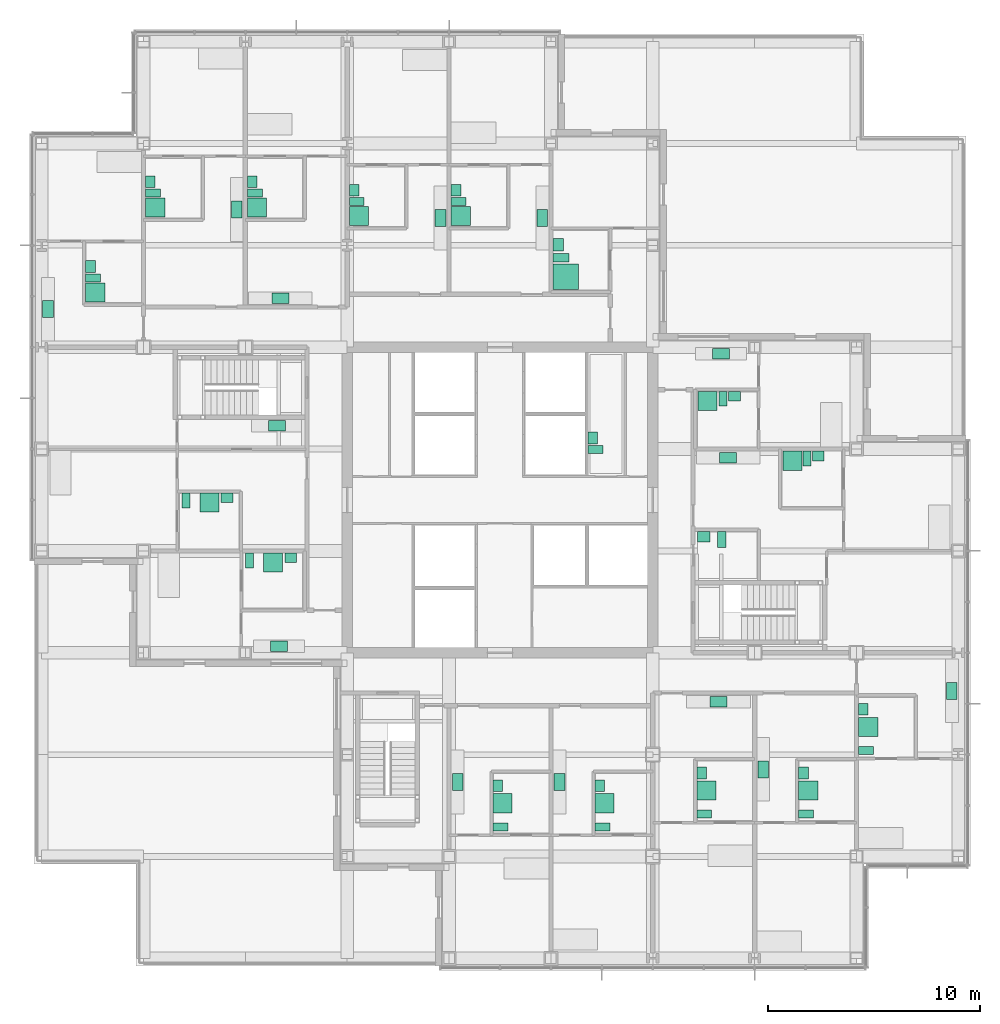
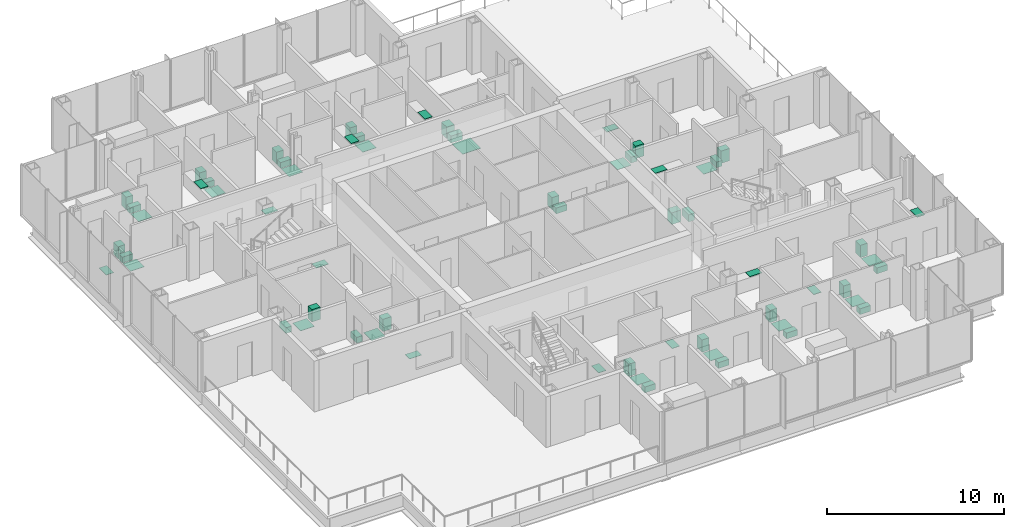
# One storey, part 18 of 19: 63 sanitary terminals.
"""IFC4 building model written with IfcOpenShell, lengths in metres."""

from ifc_helpers import new_model, si_unit, direction, frame, origin, origin_2d, place, context, subcontext, project, spatial, rectangle, extrude, material, type_object, element, save


model = new_model("IFC4")

# Units and contexts
model_context = context("Model", 3, precision=1e-05, world=origin(), true_north=direction((0.0, 1.0)))
body_context = subcontext(model_context, "Body", "Model", "MODEL_VIEW")
ifc_project = project(units=[si_unit("LENGTHUNIT", "METRE"), si_unit("AREAUNIT", "SQUARE_METRE"), si_unit("VOLUMEUNIT", "CUBIC_METRE"), si_unit("PLANEANGLEUNIT", "RADIAN"), si_unit("MASSUNIT", "GRAM", prefix="KILO")], contexts=[model_context])

# Site, building, storey
site_placement = place(None, origin())
site = spatial("IfcSite", under=ifc_project, at=site_placement, CompositionType="ELEMENT")
building_placement = place(site_placement, origin())
building = spatial("IfcBuilding", under=site, at=building_placement, Name="Kvirike Care Tower", CompositionType="ELEMENT")
storey_placement = place(building_placement, frame((0.0, 0.0, 84.0)))
storey = spatial("IfcBuildingStorey", under=building, at=storey_placement, Name="L22", CompositionType="ELEMENT", Elevation=84.0)

# Sanitary terminals
ifc_material_1 = material(Name="Vitreous china", Category="ceramic")
sanitary_terminal_type_1 = type_object("IfcSanitaryTerminalType", Name="ACCESSIBLE WASH BASIN 600 x 500", PredefinedType="WASHHANDBASIN", material=ifc_material_1)
for number, where, z_axis, x_axis, name in (
    (1, (24.35205078125, 48.02490234375, 0.02001953125), (0.0, 0.0, 1.0), (0.0, 1.0, 0.0), "Accessible wash basin L22-032"),
    (2, (31.199951171875, 34.27294921875, 0.02001953125), (0.0, 0.0, 1.0), (1.0, 0.0, 0.0), "Accessible wash basin L22-054"),
):
    element("IfcSanitaryTerminal", number, at=place(storey_placement, frame(where, z_axis=z_axis, x_axis=x_axis)), inside=storey, type_object=sanitary_terminal_type_1, Name=name, PredefinedType="WASHHANDBASIN", context=body_context, shape_type="SweptSolid", body=[
        extrude(rectangle(XDim=0.60009765625, YDim=0.5, at=origin_2d()), origin(), (0.0, 0.0, 1.0), 0.800048828125),
    ])
ifc_material_2 = material(Name="Vitreous china", Category="ceramic")
sanitary_terminal_type_2 = type_object("IfcSanitaryTerminalType", Name="ACCESSIBLE WC PAN 400 x 750", PredefinedType="TOILETPAN", material=ifc_material_2)
for number, where, z_axis, x_axis, name in (
    (3, (24.47705078125, 47.425048828125, 0.02001953125), (0.0, 0.0, 1.0), (0.0, 1.0, 0.0), "Accessible WC pan L22-032"),
    (4, (32.050048828125, 34.14794921875, 0.02001953125), (0.0, 0.0, 1.0), (1.0, 0.0, 0.0), "Accessible WC pan L22-054"),
):
    element("IfcSanitaryTerminal", number, at=place(storey_placement, frame(where, z_axis=z_axis, x_axis=x_axis)), inside=storey, type_object=sanitary_terminal_type_2, Name=name, PredefinedType="TOILETPAN", context=body_context, shape_type="SweptSolid", body=[
        extrude(rectangle(XDim=0.39990234375, YDim=0.75, at=origin_2d()), origin(), (0.0, 0.0, 1.0), 0.47998046875),
    ])
ifc_material_3 = material(Name="Stainless steel", Category="steel")
sanitary_terminal_type_3 = type_object("IfcSanitaryTerminalType", Name="KITCHEN SINK 800 x 500", PredefinedType="SINK", material=ifc_material_3)
for number, where, z_axis, x_axis, name in (
    (5, (11.10009765625, 39.498046875, 0.89990234375), (0.0, 0.0, 1.0), (1.0, 0.0, 0.0), "Kitchen sink L22-006"),
    (6, (11.179931640625, 29.10205078125, 0.89990234375), (0.0, 0.0, 1.0), (-1.0, 0.0, 0.0), "Kitchen sink L22-010"),
    (7, (11.25, 45.501953125, 0.89990234375), (0.0, 0.0, 1.0), (-1.0, 0.0, 0.0), "Kitchen sink L22-014"),
    (8, (9.197998046875, 49.68994140625, 0.89990234375), (0.0, 0.0, 1.0), (0.0, -1.0, 0.0), "Kitchen sink L22-017"),
    (9, (0.302001953125, 44.9970703125, 0.89990234375), (0.0, 0.0, 1.0), (0.0, 1.0, 0.0), "Kitchen sink L22-020"),
    (10, (19.60205078125, 22.7099609375, 0.89990234375), (0.0, 0.0, 1.0), (0.0, 1.0, 0.0), "Kitchen sink L22-026"),
    (11, (24.402099609375, 22.7099609375, 0.89990234375), (0.0, 0.0, 1.0), (0.0, 1.0, 0.0), "Kitchen sink L22-029"),
    (12, (23.597900390625, 49.2900390625, 0.89990234375), (0.0, 0.0, 1.0), (0.0, -1.0, 0.0), "Kitchen sink L22-036"),
    (13, (18.798095703125, 49.2900390625, 0.89990234375), (0.0, 0.0, 1.0), (0.0, -1.0, 0.0), "Kitchen sink L22-039"),
    (14, (31.89990234375, 26.498046875, 0.89990234375), (0.0, 0.0, 1.0), (1.0, 0.0, 0.0), "Kitchen sink L22-043"),
    (15, (34.001953125, 23.31005859375, 0.89990234375), (0.0, 0.0, 1.0), (0.0, 1.0, 0.0), "Kitchen sink L22-046"),
    (16, (42.89794921875, 27.0029296875, 0.89990234375), (0.0, 0.0, 1.0), (0.0, -1.0, 0.0), "Kitchen sink L22-049"),
    (17, (32.35009765625, 37.998046875, 0.89990234375), (0.0, 0.0, 1.0), (1.0, 0.0, 0.0), "Kitchen sink L22-056"),
    (18, (32.02001953125, 42.89794921875, 0.89990234375), (0.0, 0.0, 1.0), (1.0, 0.0, 0.0), "Kitchen sink L22-059"),
):
    element("IfcSanitaryTerminal", number, at=place(storey_placement, frame(where, z_axis=z_axis, x_axis=x_axis)), inside=storey, type_object=sanitary_terminal_type_3, Name=name, PredefinedType="SINK", context=body_context, shape_type="SweptSolid", body=[
        extrude(rectangle(XDim=0.800048828125, YDim=0.5, at=origin_2d()), origin(), (0.0, 0.0, 1.0), 0.030029296875),
    ])
ifc_material_4 = material(Name="Stainless steel", Category="steel")
sanitary_terminal_type_4 = type_object("IfcSanitaryTerminalType", Name="LEVEL-ACCESS SHOWER 1200 x 1200", PredefinedType="SHOWER", material=ifc_material_4)
sanitary_terminal_placement = place(storey_placement, frame((24.701904296875, 46.52490234375, 0.02001953125), z_axis=(0.0, 0.0, 1.0), x_axis=(0.0, 1.0, 0.0)))
element("IfcSanitaryTerminal", 19, at=sanitary_terminal_placement, inside=storey, type_object=sanitary_terminal_type_4, Name="Level-access shower L22-032", PredefinedType="SHOWER", context=body_context, shape_type="SweptSolid", body=[
    extrude(rectangle(XDim=1.199951171875, YDim=1.199951171875, at=origin_2d()), origin(), (0.0, 0.0, 1.0), 0.02001953125),
])
ifc_material_5 = material(Name="Stainless steel", Category="steel")
sanitary_terminal_type_5 = type_object("IfcSanitaryTerminalType", Name="LEVEL-ACCESS SHOWER 900 x 900", PredefinedType="SHOWER", material=ifc_material_5)
for number, where, z_axis, x_axis, name in (
    (20, (7.909912109375, 35.873046875, 0.02001953125), (0.0, 0.0, 1.0), (1.0, 0.0, 0.0), "Level-access shower L22-005"),
    (21, (10.909912109375, 33.048095703125, 0.02001953125), (0.0, 0.0, 1.0), (1.0, 0.0, 0.0), "Level-access shower L22-009"),
    (22, (10.152099609375, 49.77490234375, 0.02001953125), (0.0, 0.0, 1.0), (0.0, 1.0, 0.0), "Level-access shower L22-013"),
    (23, (5.35205078125, 49.77490234375, 0.02001953125), (0.0, 0.0, 1.0), (0.0, 1.0, 0.0), "Level-access shower L22-016"),
    (24, (2.527099609375, 45.77490234375, 0.02001953125), (0.0, 0.0, 1.0), (0.0, 1.0, 0.0), "Level-access shower L22-019"),
    (25, (21.72705078125, 21.7099609375, 0.02001953125), (0.0, 0.0, 1.0), (0.0, 1.0, 0.0), "Level-access shower L22-025"),
    (26, (26.527099609375, 21.7099609375, 0.02001953125), (0.0, 0.0, 1.0), (0.0, 1.0, 0.0), "Level-access shower L22-028"),
    (27, (19.751953125, 49.375, 0.02001953125), (0.0, 0.0, 1.0), (0.0, 1.0, 0.0), "Level-access shower L22-035"),
    (28, (14.951904296875, 49.375, 0.02001953125), (0.0, 0.0, 1.0), (0.0, 1.0, 0.0), "Level-access shower L22-038"),
    (29, (31.326904296875, 22.31005859375, 0.02001953125), (0.0, 0.0, 1.0), (0.0, 1.0, 0.0), "Level-access shower L22-042"),
    (30, (36.126953125, 22.31005859375, 0.02001953125), (0.0, 0.0, 1.0), (0.0, 1.0, 0.0), "Level-access shower L22-045"),
    (31, (38.951904296875, 25.31005859375, 0.02001953125), (0.0, 0.0, 1.0), (0.0, 1.0, 0.0), "Level-access shower L22-048"),
    (32, (35.375, 37.847900390625, 0.02001953125), (0.0, 0.0, 1.0), (1.0, 0.0, 0.0), "Level-access shower L22-055"),
    (33, (31.375, 40.673095703125, 0.02001953125), (0.0, 0.0, 1.0), (1.0, 0.0, 0.0), "Level-access shower L22-058"),
):
    element("IfcSanitaryTerminal", number, at=place(storey_placement, frame(where, z_axis=z_axis, x_axis=x_axis)), inside=storey, type_object=sanitary_terminal_type_5, Name=name, PredefinedType="SHOWER", context=body_context, shape_type="SweptSolid", body=[
        extrude(rectangle(XDim=0.89990234375, YDim=0.89990234375, at=origin_2d()), origin(), (0.0, 0.0, 1.0), 0.02001953125),
    ])
ifc_material_6 = material(Name="Vitreous china", Category="ceramic")
sanitary_terminal_type_6 = type_object("IfcSanitaryTerminalType", Name="WASH BASIN 550 x 450", PredefinedType="WASHHANDBASIN", material=ifc_material_6)
for number, where, z_axis, x_axis, name in (
    (34, (8.735107421875, 36.097900390625, 0.02001953125), (0.0, 0.0, 1.0), (1.0, 0.0, 0.0), "Wash basin L22-005"),
    (35, (11.735107421875, 33.27294921875, 0.02001953125), (0.0, 0.0, 1.0), (1.0, 0.0, 0.0), "Wash basin L22-009"),
    (36, (9.927001953125, 51.0, 0.02001953125), (0.0, 0.0, 1.0), (0.0, 1.0, 0.0), "Wash basin L22-013"),
    (37, (5.126953125, 51.0, 0.02001953125), (0.0, 0.0, 1.0), (0.0, 1.0, 0.0), "Wash basin L22-016"),
    (38, (2.302001953125, 47.0, 0.02001953125), (0.0, 0.0, 1.0), (0.0, 1.0, 0.0), "Wash basin L22-019"),
    (39, (21.501953125, 22.534912109375, 0.02001953125), (0.0, 0.0, 1.0), (0.0, 1.0, 0.0), "Wash basin L22-025"),
    (40, (26.302001953125, 22.534912109375, 0.02001953125), (0.0, 0.0, 1.0), (0.0, 1.0, 0.0), "Wash basin L22-028"),
    (41, (19.527099609375, 50.60009765625, 0.02001953125), (0.0, 0.0, 1.0), (0.0, 1.0, 0.0), "Wash basin L22-035"),
    (42, (14.72705078125, 50.60009765625, 0.02001953125), (0.0, 0.0, 1.0), (0.0, 1.0, 0.0), "Wash basin L22-038"),
    (43, (31.10205078125, 23.135009765625, 0.02001953125), (0.0, 0.0, 1.0), (0.0, 1.0, 0.0), "Wash basin L22-042"),
    (44, (35.902099609375, 23.135009765625, 0.02001953125), (0.0, 0.0, 1.0), (0.0, 1.0, 0.0), "Wash basin L22-045"),
    (45, (38.72705078125, 26.135009765625, 0.02001953125), (0.0, 0.0, 1.0), (0.0, 1.0, 0.0), "Wash basin L22-048"),
    (46, (36.60009765625, 38.072998046875, 0.02001953125), (0.0, 0.0, 1.0), (1.0, 0.0, 0.0), "Wash basin L22-055"),
    (47, (32.64990234375, 40.89794921875, 0.02001953125), (0.0, 0.0, 1.0), (1.0, 0.0, 0.0), "Wash basin L22-058"),
    (48, (25.97705078125, 38.925048828125, 0.02001953125), (0.0, 0.0, 1.0), (0.0, 1.0, 0.0), "Wash basin L22-067"),
):
    element("IfcSanitaryTerminal", number, at=place(storey_placement, frame(where, z_axis=z_axis, x_axis=x_axis)), inside=storey, type_object=sanitary_terminal_type_6, Name=name, PredefinedType="WASHHANDBASIN", context=body_context, shape_type="SweptSolid", body=[
        extrude(rectangle(XDim=0.550048828125, YDim=0.449951171875, at=origin_2d()), origin(), (0.0, 0.0, 1.0), 0.85009765625),
    ])
ifc_material_7 = material(Name="Vitreous china", Category="ceramic")
sanitary_terminal_type_7 = type_object("IfcSanitaryTerminalType", Name="WC PAN 380 x 700", PredefinedType="TOILETPAN", material=ifc_material_7)
for number, where, z_axis, x_axis, name in (
    (49, (6.800048828125, 35.972900390625, 0.02001953125), (0.0, 0.0, 1.0), (1.0, 0.0, 0.0), "WC pan L22-005"),
    (50, (9.800048828125, 33.14794921875, 0.02001953125), (0.0, 0.0, 1.0), (1.0, 0.0, 0.0), "WC pan L22-009"),
    (51, (10.052001953125, 50.465087890625, 0.02001953125), (0.0, 0.0, 1.0), (0.0, 1.0, 0.0), "WC pan L22-013"),
    (52, (5.251953125, 50.465087890625, 0.02001953125), (0.0, 0.0, 1.0), (0.0, 1.0, 0.0), "WC pan L22-016"),
    (53, (2.427001953125, 46.465087890625, 0.02001953125), (0.0, 0.0, 1.0), (0.0, 1.0, 0.0), "WC pan L22-019"),
    (54, (21.626953125, 20.60009765625, 0.02001953125), (0.0, 0.0, 1.0), (0.0, 1.0, 0.0), "WC pan L22-025"),
    (55, (26.427001953125, 20.60009765625, 0.02001953125), (0.0, 0.0, 1.0), (0.0, 1.0, 0.0), "WC pan L22-028"),
    (56, (19.652099609375, 50.06494140625, 0.02001953125), (0.0, 0.0, 1.0), (0.0, 1.0, 0.0), "WC pan L22-035"),
    (57, (14.85205078125, 50.06494140625, 0.02001953125), (0.0, 0.0, 1.0), (0.0, 1.0, 0.0), "WC pan L22-038"),
    (58, (31.22705078125, 21.199951171875, 0.02001953125), (0.0, 0.0, 1.0), (0.0, 1.0, 0.0), "WC pan L22-042"),
    (59, (36.027099609375, 21.199951171875, 0.02001953125), (0.0, 0.0, 1.0), (0.0, 1.0, 0.0), "WC pan L22-045"),
    (60, (38.85205078125, 24.199951171875, 0.02001953125), (0.0, 0.0, 1.0), (0.0, 1.0, 0.0), "WC pan L22-048"),
    (61, (36.06494140625, 37.947998046875, 0.02001953125), (0.0, 0.0, 1.0), (1.0, 0.0, 0.0), "WC pan L22-055"),
    (62, (32.114990234375, 40.77294921875, 0.02001953125), (0.0, 0.0, 1.0), (1.0, 0.0, 0.0), "WC pan L22-058"),
    (63, (26.10205078125, 38.389892578125, 0.02001953125), (0.0, 0.0, 1.0), (0.0, 1.0, 0.0), "WC pan L22-067"),
):
    element("IfcSanitaryTerminal", number, at=place(storey_placement, frame(where, z_axis=z_axis, x_axis=x_axis)), inside=storey, type_object=sanitary_terminal_type_7, Name=name, PredefinedType="TOILETPAN", context=body_context, shape_type="SweptSolid", body=[
        extrude(rectangle(XDim=0.3798828125, YDim=0.699951171875, at=origin_2d()), origin(), (0.0, 0.0, 1.0), 0.39990234375),
    ])

save(model, "model.ifc")
